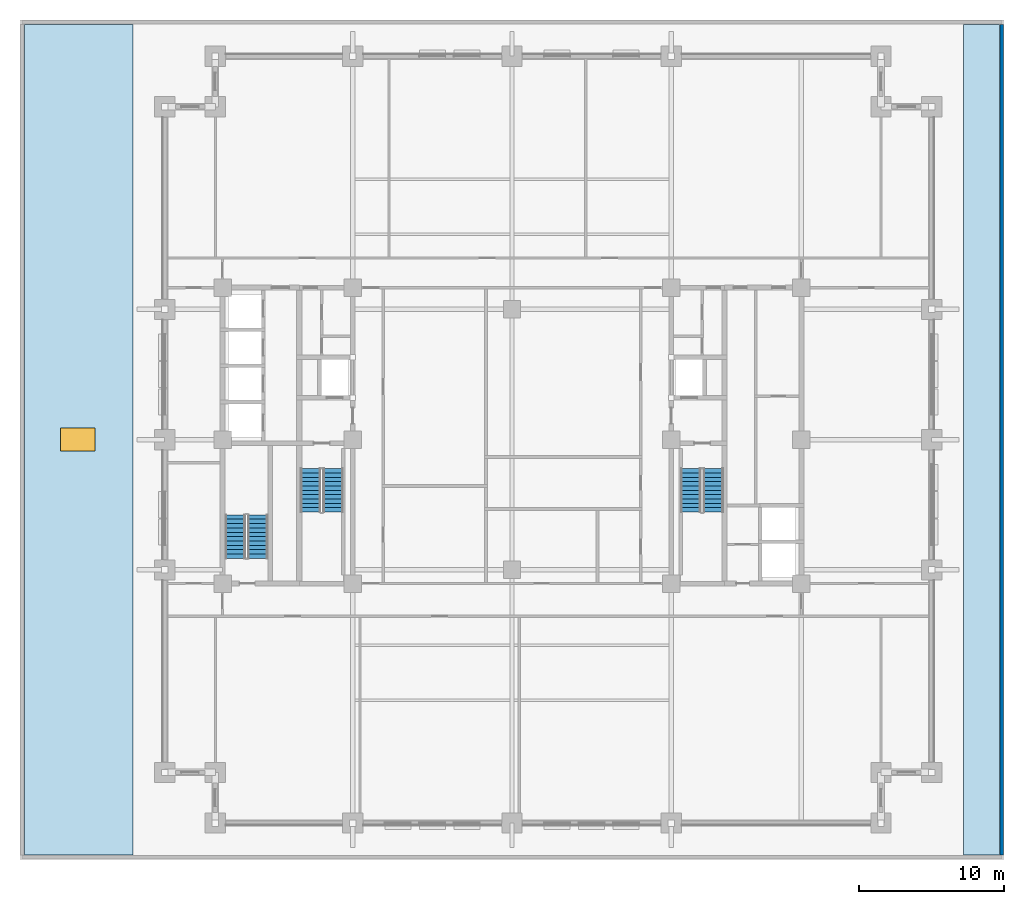
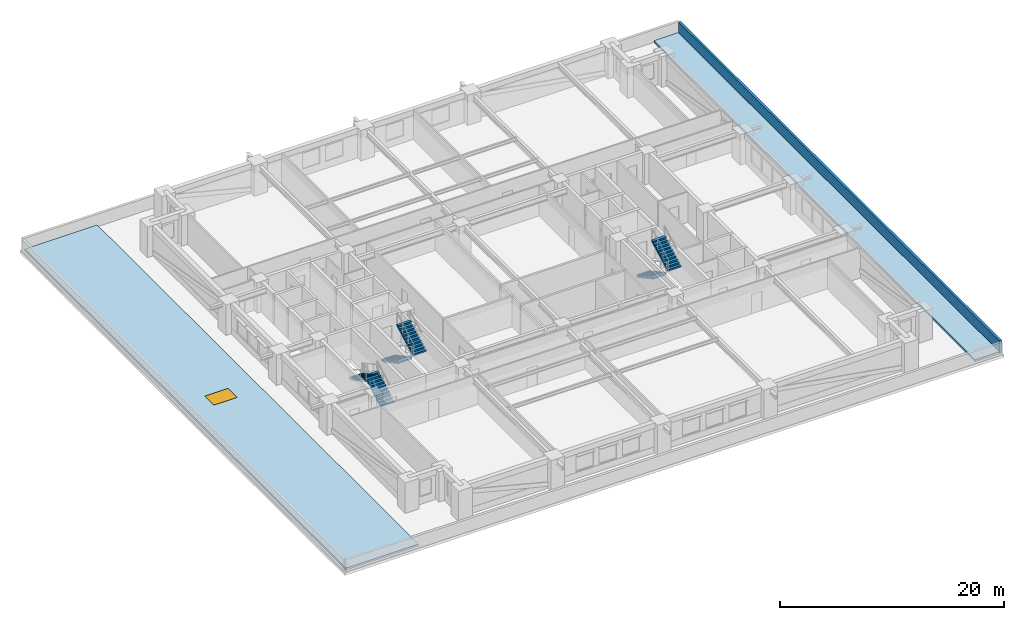
# One storey, part 8 of 12: 6 stair flights, 2 roofs, 1 wall, 1 window, 1 opening, 3 elements without a shape of their own.
"""IFC4 building model written with IfcOpenShell, lengths in metres."""

import ifcopenshell
import ifcopenshell.guid

model = None  # the IFC model being written
_history = None  # IfcOwnerHistory: only IFC2X3 demands one
_inside = {}  # id of a spatial element -> (the spatial element, [elements in it])
_under = {}  # id of a project, library or spatial element -> (it, [spatial elements below it])
_declared = {}  # id of a project -> (the project, [libraries it declares])
_typed = {}  # id of a type object -> (the type object, [elements of that type])
_made_of = {}  # id of a material, layer set ... -> (it, [elements and type objects made of it])


def new_model(schema):
    """Start an empty IFC model of exactly this schema.

    Asked for "IFC4X3", IfcOpenShell would pick the latest addendum, in which some entities
    have other attributes; the version numbers below select the first issue.
    IFC2X3 requires an IfcOwnerHistory on every rooted entity: one is made here for all.
    """
    global model, _history
    if schema == "IFC4X3":
        model = ifcopenshell.file(schema_version=(4, 3, 0, 0))
    else:
        model = ifcopenshell.file(schema=schema)
    _inside.clear()
    _under.clear()
    _declared.clear()
    _typed.clear()
    _made_of.clear()
    _history = None
    if model.schema == "IFC2X3":
        org = make("IfcOrganization", Name="unknown")
        user = make(
            "IfcPersonAndOrganization",
            ThePerson=make("IfcPerson", FamilyName="unknown"),
            TheOrganization=org,
        )
        app = make(
            "IfcApplication",
            ApplicationDeveloper=org,
            Version="unknown",
            ApplicationFullName="unknown",
            ApplicationIdentifier="unknown",
        )
        _history = make(
            "IfcOwnerHistory",
            OwningUser=user,
            OwningApplication=app,
            ChangeAction="ADDED",
            CreationDate=0,
        )
    return model


def make(cls, **values):
    """One entity of the class cls with the attributes given. An attribute that is None is left unset."""
    return model.create_entity(
        cls, **{name: value for name, value in values.items() if value is not None}
    )


def rooted(cls, **values):
    """An entity with a GlobalId (a new one), such as an element, a storey or a relation."""
    return make(cls, GlobalId=ifcopenshell.guid.new(), OwnerHistory=_history, **values)


def si_unit(unit_type, name, prefix=None):
    """IfcSIUnit, for example si_unit("LENGTHUNIT", "METRE", prefix="MILLI")."""
    return make("IfcSIUnit", UnitType=unit_type, Prefix=prefix, Name=name)


def assignment(units):
    """IfcUnitAssignment: the units of a project."""
    return None if units is None else make("IfcUnitAssignment", Units=units)


def point(xyz):
    """IfcCartesianPoint."""
    return None if xyz is None else make("IfcCartesianPoint", Coordinates=xyz)


def direction(xyz):
    """IfcDirection."""
    return None if xyz is None else make("IfcDirection", DirectionRatios=xyz)


def frame(location, z_axis=None, x_axis=None):
    """IfcAxis2Placement3D, a coordinate frame: its origin and axes. An axis left out is left unset."""
    return make(
        "IfcAxis2Placement3D",
        Location=point(location),
        Axis=direction(z_axis),
        RefDirection=direction(x_axis),
    )


def frame_2d(location, x_axis=None):
    """IfcAxis2Placement2D, a coordinate frame in the plane: its origin and x axis."""
    return make(
        "IfcAxis2Placement2D", Location=point(location), RefDirection=direction(x_axis)
    )


def origin():
    """The frame at (0, 0, 0) with its axes left unset."""
    return frame((0.0, 0.0, 0.0))


def origin_2d():
    """The frame at (0, 0) in the plane with its x axis left unset."""
    return frame_2d((0.0, 0.0))


def place(relative_to, where):
    """IfcLocalPlacement: puts the frame where relative to a parent placement (None: the world)."""
    return make(
        "IfcLocalPlacement", PlacementRelTo=relative_to, RelativePlacement=where
    )


def context(
    kind, dimensions, precision=None, world=None, true_north=None, identifier=None
):
    """IfcGeometricRepresentationContext, for example the 3D "Model" context."""
    return make(
        "IfcGeometricRepresentationContext",
        ContextIdentifier=identifier,
        ContextType=kind,
        CoordinateSpaceDimension=dimensions,
        Precision=precision,
        WorldCoordinateSystem=world,
        TrueNorth=true_north,
    )


def subcontext(parent, identifier, kind, view, scale=None):
    """IfcGeometricRepresentationSubContext, for example "Body" below "Model"."""
    return make(
        "IfcGeometricRepresentationSubContext",
        ContextIdentifier=identifier,
        ContextType=kind,
        ParentContext=parent,
        TargetScale=scale,
        TargetView=view,
    )


def project(units=None, contexts=None):
    """IfcProject with its units and contexts."""
    return rooted(
        "IfcProject",
        Name="project",
        RepresentationContexts=contexts,
        UnitsInContext=assignment(units),
    )


def spatial(cls, under=None, at=None, **own):
    """A site, building, storey or space (cls), placed at a placement, below another one or the project."""
    s = rooted(cls, ObjectPlacement=at, **own)
    if under is not None:
        _under.setdefault(under.id(), (under, []))[1].append(s)
    return s


def polyline(points):
    """IfcPolyline through the points."""
    return make("IfcPolyline", Points=[point(p) for p in points])


def profile(cls, at=None, kind="AREA", **sizes):
    """A parametric profile (cls). Its sizes go by their IFC names, for example OverallWidth=200.0."""
    return make(cls, ProfileType=kind, Position=at, **sizes)


def rectangle(**sizes):
    """IfcRectangleProfileDef."""
    return profile("IfcRectangleProfileDef", **sizes)


def outline(outer, holes=None, kind="AREA"):
    """IfcArbitraryClosedProfileDef: a profile drawn as a closed curve; with holes, ...WithVoids."""
    if holes is None:
        return make("IfcArbitraryClosedProfileDef", ProfileType=kind, OuterCurve=outer)
    return make(
        "IfcArbitraryProfileDefWithVoids",
        ProfileType=kind,
        OuterCurve=outer,
        InnerCurves=holes,
    )


def extrude(swept, where, along, depth):
    """IfcExtrudedAreaSolid: the profile swept, set in the frame where, extruded along a direction by depth."""
    return make(
        "IfcExtrudedAreaSolid",
        SweptArea=swept,
        Position=where,
        ExtrudedDirection=direction(along),
        Depth=depth,
    )


def shape(context_of_items, identifier, shape_type, items):
    """IfcShapeRepresentation: the items that make up one representation, for example the "Body"."""
    return make(
        "IfcShapeRepresentation",
        ContextOfItems=context_of_items,
        RepresentationIdentifier=identifier,
        RepresentationType=shape_type,
        Items=items,
    )


def material(Name=None, Category=None):
    """IfcMaterial."""
    return make("IfcMaterial", Name=Name, Category=Category)


def layer(
    of_material, thickness, ventilated=None, Name=None, Category=None, Priority=None
):
    """IfcMaterialLayer: one layer of a wall or slab, of a material (None: an air gap)."""
    return make(
        "IfcMaterialLayer",
        Material=of_material,
        LayerThickness=thickness,
        IsVentilated=ventilated,
        Name=Name,
        Category=Category,
        Priority=Priority,
    )


def layer_set(layers, Name=None):
    """IfcMaterialLayerSet."""
    return make("IfcMaterialLayerSet", MaterialLayers=layers, LayerSetName=Name)


def made_of(thing, what):
    """Note that an element or type object is made of a material, layer set ...; save() writes the relation."""
    if what is not None:
        _made_of.setdefault(what.id(), (what, []))[1].append(thing)
    return thing


def type_object(cls, material=None, **own):
    """A type object (cls), such as IfcWallType, which elements share."""
    return made_of(rooted(cls, **own), material)


def element(
    cls,
    number,
    at=None,
    inside=None,
    cuts=None,
    type_object=None,
    material=None,
    context=None,
    identifier="Body",
    shape_type=None,
    held_by="IfcProductDefinitionShape",
    body=None,
    shapes=None,
    **own,
):
    """One element of the class cls, such as IfcWall. Its Tag is "e" and its number.

    at: its placement. inside: the storey or other place that contains it. cuts: it is an
    opening in that element (IfcRelVoidsElement). A single representation is given by context,
    identifier, shape_type and body (its items); several are given by shapes. held_by: the class
    of the entity that holds the representations. save() writes the other relations.
    """
    e = rooted(cls, Tag="e%d" % number, ObjectPlacement=at, **own)
    if body is not None:
        shapes = [shape(context, identifier, shape_type, body)]
    if shapes is not None:
        e.Representation = make(held_by, Representations=shapes)
    if inside is not None:
        _inside.setdefault(inside.id(), (inside, []))[1].append(e)
    if cuts is not None:
        rooted(
            "IfcRelVoidsElement", RelatingBuildingElement=cuts, RelatedOpeningElement=e
        )
    if type_object is not None:
        _typed.setdefault(type_object.id(), (type_object, []))[1].append(e)
    return made_of(e, material)


def fill(opening, filler):
    """IfcRelFillsElement: the door or window that sits in an opening."""
    return rooted(
        "IfcRelFillsElement",
        RelatingOpeningElement=opening,
        RelatedBuildingElement=filler,
    )


def aggregate(whole, parts):
    """IfcRelAggregates: a whole, such as a stair, and the parts it consists of."""
    return rooted("IfcRelAggregates", RelatingObject=whole, RelatedObjects=parts)


def save(model, path):
    """Write the relations noted so far, then the file.

    IfcRelAggregates (storeys below a building ...), IfcRelContainedInSpatialStructure (elements
    in a storey), IfcRelDefinesByType, IfcRelAssociatesMaterial and IfcRelDeclares: one each for
    every whole, place, type object, material and project.
    """
    for whole, parts in _under.values():
        aggregate(whole, parts)
    for where, things in _inside.values():
        rooted(
            "IfcRelContainedInSpatialStructure",
            RelatedElements=things,
            RelatingStructure=where,
        )
    for kind, things in _typed.values():
        rooted("IfcRelDefinesByType", RelatedObjects=things, RelatingType=kind)
    for what, things in _made_of.values():
        rooted("IfcRelAssociatesMaterial", RelatedObjects=things, RelatingMaterial=what)
    for by, libraries in _declared.values():
        rooted("IfcRelDeclares", RelatingContext=by, RelatedDefinitions=libraries)
    model.write(path)


model = new_model("IFC4")

# Units and contexts
model_context = context("Model", 3, precision=1e-05, world=origin(), true_north=direction((0.0, 1.0)))
body_context = subcontext(model_context, "Body", "Model", "MODEL_VIEW")
ifc_project = project(units=[si_unit("LENGTHUNIT", "METRE"), si_unit("AREAUNIT", "SQUARE_METRE"), si_unit("VOLUMEUNIT", "CUBIC_METRE"), si_unit("PLANEANGLEUNIT", "RADIAN"), si_unit("MASSUNIT", "GRAM", prefix="KILO")], contexts=[model_context])

# Site, building, storey
site_placement = place(None, origin())
site = spatial("IfcSite", under=ifc_project, at=site_placement, CompositionType="ELEMENT")
building_placement = place(site_placement, origin())
building = spatial("IfcBuilding", under=site, at=building_placement, Name="Zulmaris Gate Convention Tower", CompositionType="ELEMENT")
storey_placement = place(building_placement, frame((0.0, 0.0, 27.199951171875)))
storey = spatial("IfcBuildingStorey", under=building, at=storey_placement, Name="L05", CompositionType="ELEMENT", Elevation=27.199951171875)

# Wall
ifc_material_1 = material(Name="Precast concrete C40/50", Category="concrete")
ifc_layer_1 = layer(ifc_material_1, 0.25, Name="Precast concrete C40/50")
ifc_layer_set_1 = layer_set([ifc_layer_1], Name="Precast concrete C40/50")
wall_type = type_object("IfcWallType", Name="PRECAST-PARAPET-250", PredefinedType="PARAPET", material=ifc_layer_set_1)
wall_placement = place(storey_placement, frame((33.85009765625, -28.699951171875, 0.0), z_axis=(0.0, 0.0, 1.0), x_axis=(0.0, 1.0, 0.0)))
element("IfcWall", 1, at=wall_placement, inside=storey, type_object=wall_type, Name="PRP-L05-POD-E", PredefinedType="PARAPET", context=body_context, shape_type="SweptSolid", body=[
    extrude(rectangle(XDim=57.39990234375, YDim=0.25, at=frame_2d((28.699951171875, 0.0))), origin(), (0.0, 0.0, 1.0), 1.3701171875),
])

# Stair, stair flights
ifc_material_2 = material(Name="Concrete C45/55", Category="concrete")
stair_type = type_object("IfcStairType", Name="ST-CORE-DOGLEG", PredefinedType="HALF_TURN_STAIR", material=ifc_material_2)
stair_1_placement = place(storey_placement, origin())
stair_1 = element("IfcStair", 2, at=stair_1_placement, inside=storey, type_object=stair_type, Name="L05 Core Exit Stair ST-1", PredefinedType="HALF_TURN_STAIR")
ifc_layer_2 = layer(ifc_material_2, 0.14990234375, Name="Concrete C45/55")
ifc_layer_set_2 = layer_set([ifc_layer_2], Name="Concrete C45/55")
stair_flight_type = type_object("IfcStairFlightType", Name="STF-RC150", PredefinedType="STRAIGHT", material=ifc_layer_set_2)
stair_flight_1_placement = place(storey_placement, frame((-13.919921875, -2.0, 0.0), z_axis=(0.0, 0.0, 1.0), x_axis=(0.0, -1.0, 0.0)))
stair_flight_1 = element("IfcStairFlight", 3, at=stair_flight_1_placement, type_object=stair_flight_type, Name="ST-1 flight 1", NumberOfRisers=11, NumberOfTreads=10, PredefinedType="STRAIGHT", RiserHeight=0.162272727, TreadLength=0.3, context=body_context, shape_type="SweptSolid", body=[
    extrude(outline(polyline([(0.0, 0.0), (0.0, 0.162353515625), (0.300048828125, 0.162353515625), (0.300048828125, 0.324462890625), (0.60009765625, 0.324462890625), (0.60009765625, 0.48681640625), (0.89990234375, 0.48681640625), (0.89990234375, 0.649169921875), (1.199951171875, 0.649169921875), (1.199951171875, 0.811279296875), (1.5, 0.811279296875), (1.5, 0.9736328125), (1.800048828125, 0.9736328125), (1.800048828125, 1.135986328125), (2.10009765625, 1.135986328125), (2.10009765625, 1.298095703125), (2.39990234375, 1.298095703125), (2.39990234375, 1.46044921875), (2.699951171875, 1.46044921875), (2.699951171875, 1.622802734375), (3.0, 1.622802734375), (3.0, 1.784912109375), (3.0, 1.452392578125), (0.315185546875, 0.0), (0.0, 0.0)])), frame((0.0, 0.699951171875, 0.0), z_axis=(0.0, -1.0, 0.0), x_axis=(1.0, 0.0, 0.0)), (0.0, 0.0, 1.0), 1.39990234375),
])
stair_flight_2_placement = place(storey_placement, frame((-12.360107421875, -5.0, 1.78515625), z_axis=(0.0, 0.0, 1.0), x_axis=(0.0, 1.0, 0.0)))
stair_flight_2 = element("IfcStairFlight", 4, at=stair_flight_2_placement, type_object=stair_flight_type, Name="ST-1 flight 2", NumberOfRisers=11, NumberOfTreads=10, PredefinedType="STRAIGHT", RiserHeight=0.162272727, TreadLength=0.3, context=body_context, shape_type="SweptSolid", body=[
    extrude(outline(polyline([(0.0, 0.0), (0.0, 0.162353515625), (0.300048828125, 0.162353515625), (0.300048828125, 0.324462890625), (0.60009765625, 0.324462890625), (0.60009765625, 0.48681640625), (0.89990234375, 0.48681640625), (0.89990234375, 0.649169921875), (1.199951171875, 0.649169921875), (1.199951171875, 0.811279296875), (1.5, 0.811279296875), (1.5, 0.9736328125), (1.800048828125, 0.9736328125), (1.800048828125, 1.135986328125), (2.10009765625, 1.135986328125), (2.10009765625, 1.298095703125), (2.39990234375, 1.298095703125), (2.39990234375, 1.46044921875), (2.699951171875, 1.46044921875), (2.699951171875, 1.622802734375), (3.0, 1.622802734375), (3.0, 1.784912109375), (3.0, 1.452392578125), (0.315185546875, 0.0), (0.0, 0.0)])), frame((0.0, 0.699951171875, 0.0), z_axis=(0.0, -1.0, 0.0), x_axis=(1.0, 0.0, 0.0)), (0.0, 0.0, 1.0), 1.39990234375),
])
aggregate(stair_1, [stair_flight_1, stair_flight_2])

stair_2_placement = place(storey_placement, origin())
stair_2 = element("IfcStair", 5, at=stair_2_placement, inside=storey, type_object=stair_type, Name="L05 Core Exit Stair ST-2", PredefinedType="HALF_TURN_STAIR")
stair_flight_3_placement = place(storey_placement, frame((12.360107421875, -2.0, 0.0), z_axis=(0.0, 0.0, 1.0), x_axis=(0.0, -1.0, 0.0)))
stair_flight_3 = element("IfcStairFlight", 6, at=stair_flight_3_placement, type_object=stair_flight_type, Name="ST-2 flight 1", NumberOfRisers=11, NumberOfTreads=10, PredefinedType="STRAIGHT", RiserHeight=0.162272727, TreadLength=0.3, context=body_context, shape_type="SweptSolid", body=[
    extrude(outline(polyline([(0.0, 0.0), (0.0, 0.162353515625), (0.300048828125, 0.162353515625), (0.300048828125, 0.324462890625), (0.60009765625, 0.324462890625), (0.60009765625, 0.48681640625), (0.89990234375, 0.48681640625), (0.89990234375, 0.649169921875), (1.199951171875, 0.649169921875), (1.199951171875, 0.811279296875), (1.5, 0.811279296875), (1.5, 0.9736328125), (1.800048828125, 0.9736328125), (1.800048828125, 1.135986328125), (2.10009765625, 1.135986328125), (2.10009765625, 1.298095703125), (2.39990234375, 1.298095703125), (2.39990234375, 1.46044921875), (2.699951171875, 1.46044921875), (2.699951171875, 1.622802734375), (3.0, 1.622802734375), (3.0, 1.784912109375), (3.0, 1.452392578125), (0.315185546875, 0.0), (0.0, 0.0)])), frame((0.0, 0.699951171875, 0.0), z_axis=(0.0, -1.0, 0.0), x_axis=(1.0, 0.0, 0.0)), (0.0, 0.0, 1.0), 1.39990234375),
])
stair_flight_4_placement = place(storey_placement, frame((13.919921875, -5.0, 1.78515625), z_axis=(0.0, 0.0, 1.0), x_axis=(0.0, 1.0, 0.0)))
stair_flight_4 = element("IfcStairFlight", 7, at=stair_flight_4_placement, type_object=stair_flight_type, Name="ST-2 flight 2", NumberOfRisers=11, NumberOfTreads=10, PredefinedType="STRAIGHT", RiserHeight=0.162272727, TreadLength=0.3, context=body_context, shape_type="SweptSolid", body=[
    extrude(outline(polyline([(0.0, 0.0), (0.0, 0.162353515625), (0.300048828125, 0.162353515625), (0.300048828125, 0.324462890625), (0.60009765625, 0.324462890625), (0.60009765625, 0.48681640625), (0.89990234375, 0.48681640625), (0.89990234375, 0.649169921875), (1.199951171875, 0.649169921875), (1.199951171875, 0.811279296875), (1.5, 0.811279296875), (1.5, 0.9736328125), (1.800048828125, 0.9736328125), (1.800048828125, 1.135986328125), (2.10009765625, 1.135986328125), (2.10009765625, 1.298095703125), (2.39990234375, 1.298095703125), (2.39990234375, 1.46044921875), (2.699951171875, 1.46044921875), (2.699951171875, 1.622802734375), (3.0, 1.622802734375), (3.0, 1.784912109375), (3.0, 1.452392578125), (0.315185546875, 0.0), (0.0, 0.0)])), frame((0.0, 0.699951171875, 0.0), z_axis=(0.0, -1.0, 0.0), x_axis=(1.0, 0.0, 0.0)), (0.0, 0.0, 1.0), 1.39990234375),
])
aggregate(stair_2, [stair_flight_3, stair_flight_4])

stair_3_placement = place(storey_placement, origin())
stair_3 = element("IfcStair", 8, at=stair_3_placement, inside=storey, type_object=stair_type, Name="L05 Core Exit Stair ST-3", PredefinedType="HALF_TURN_STAIR")
stair_flight_5_placement = place(storey_placement, frame((-17.56005859375, -8.199951171875, 0.0), z_axis=(0.0, 0.0, 1.0), x_axis=(0.0, 1.0, 0.0)))
stair_flight_5 = element("IfcStairFlight", 9, at=stair_flight_5_placement, type_object=stair_flight_type, Name="ST-3 flight 1", NumberOfRisers=11, NumberOfTreads=10, PredefinedType="STRAIGHT", RiserHeight=0.162272727, TreadLength=0.3, context=body_context, shape_type="SweptSolid", body=[
    extrude(outline(polyline([(0.0, 0.0), (0.0, 0.162353515625), (0.300048828125, 0.162353515625), (0.300048828125, 0.324462890625), (0.60009765625, 0.324462890625), (0.60009765625, 0.48681640625), (0.89990234375, 0.48681640625), (0.89990234375, 0.649169921875), (1.199951171875, 0.649169921875), (1.199951171875, 0.811279296875), (1.5, 0.811279296875), (1.5, 0.9736328125), (1.800048828125, 0.9736328125), (1.800048828125, 1.135986328125), (2.10009765625, 1.135986328125), (2.10009765625, 1.298095703125), (2.39990234375, 1.298095703125), (2.39990234375, 1.46044921875), (2.699951171875, 1.46044921875), (2.699951171875, 1.622802734375), (3.0, 1.622802734375), (3.0, 1.784912109375), (3.0, 1.452392578125), (0.315185546875, 0.0), (0.0, 0.0)])), frame((0.0, 0.699951171875, 0.0), z_axis=(0.0, -1.0, 0.0), x_axis=(1.0, 0.0, 0.0)), (0.0, 0.0, 1.0), 1.39990234375),
])
stair_flight_6_placement = place(storey_placement, frame((-19.1201171875, -5.199951171875, 1.78515625), z_axis=(0.0, 0.0, 1.0), x_axis=(0.0, -1.0, 0.0)))
stair_flight_6 = element("IfcStairFlight", 10, at=stair_flight_6_placement, type_object=stair_flight_type, Name="ST-3 flight 2", NumberOfRisers=11, NumberOfTreads=10, PredefinedType="STRAIGHT", RiserHeight=0.162272727, TreadLength=0.3, context=body_context, shape_type="SweptSolid", body=[
    extrude(outline(polyline([(0.0, 0.0), (0.0, 0.162353515625), (0.300048828125, 0.162353515625), (0.300048828125, 0.324462890625), (0.60009765625, 0.324462890625), (0.60009765625, 0.48681640625), (0.89990234375, 0.48681640625), (0.89990234375, 0.649169921875), (1.199951171875, 0.649169921875), (1.199951171875, 0.811279296875), (1.5, 0.811279296875), (1.5, 0.9736328125), (1.800048828125, 0.9736328125), (1.800048828125, 1.135986328125), (2.10009765625, 1.135986328125), (2.10009765625, 1.298095703125), (2.39990234375, 1.298095703125), (2.39990234375, 1.46044921875), (2.699951171875, 1.46044921875), (2.699951171875, 1.622802734375), (3.0, 1.622802734375), (3.0, 1.784912109375), (3.0, 1.452392578125), (0.315185546875, 0.0), (0.0, 0.0)])), frame((0.0, 0.699951171875, 0.0), z_axis=(0.0, -1.0, 0.0), x_axis=(1.0, 0.0, 0.0)), (0.0, 0.0, 1.0), 1.39990234375),
])
aggregate(stair_3, [stair_flight_5, stair_flight_6])

# Roof, opening, window
ifc_material_3 = material(Name="Concrete C40/50", Category="concrete")
ifc_layer_3 = layer(ifc_material_3, 0.219970703125, Name="Concrete C40/50")
ifc_layer_set_3 = layer_set([ifc_layer_3], Name="Concrete C40/50")
slab_type = type_object("IfcSlabType", Name="RF-MEMBRANE-220", PredefinedType="ROOF", material=ifc_layer_set_3)
roof_1_placement = place(storey_placement, origin())
roof_1 = element("IfcRoof", 11, at=roof_1_placement, inside=storey, type_object=slab_type, Name="RF-L05-POD-W", PredefinedType="FLAT_ROOF", context=body_context, shape_type="SweptSolid", body=[
    extrude(outline(polyline([(-33.699951171875, -28.699951171875), (-26.199951171875, -28.699951171875), (-26.199951171875, 28.699951171875), (-33.699951171875, 28.699951171875), (-33.699951171875, -28.699951171875)])), origin(), (0.0, 0.0, 1.0), 0.219970703125),
])
opening_placement = place(roof_1_placement, frame((-30.0, 0.0, 0.0)))
opening = element("IfcOpeningElement", 12, at=opening_placement, cuts=roof_1, Name="Opening W-07", PredefinedType="OPENING", context=body_context, shape_type="SweptSolid", body=[
    extrude(rectangle(XDim=2.39990234375, YDim=1.60009765625, at=origin_2d()), frame((0.0, 0.0, -0.010009765625)), (0.0, 0.0, 1.0), 0.239990234375),
])
ifc_material_4 = material(Name="Low-E Laminated Double Glazing in Aluminium Frame", Category="aluminium")
window_type = type_object("IfcWindowType", Name="WIN-SKY-2400", PartitioningType="SINGLE_PANEL", PredefinedType="SKYLIGHT", material=ifc_material_4)
window_placement = place(opening_placement, frame((0.0, 0.0, 0.169921875)))
window = element("IfcWindow", 13, at=window_placement, inside=storey, type_object=window_type, Name="Podium Concourse Skylight", OverallHeight=1.60009765625, OverallWidth=2.39990234375, PartitioningType="SINGLE_PANEL", PredefinedType="SKYLIGHT", context=body_context, shape_type="SweptSolid", body=[
    extrude(rectangle(XDim=2.39990234375, YDim=1.60009765625, at=origin_2d()), origin(), (0.0, 0.0, 1.0), 0.050048828125),
])
fill(opening, window)

# Roof
roof_2_placement = place(storey_placement, origin())
element("IfcRoof", 14, at=roof_2_placement, inside=storey, type_object=slab_type, Name="RF-L05-POD-E", PredefinedType="FLAT_ROOF", context=body_context, shape_type="SweptSolid", body=[
    extrude(outline(polyline([(31.199951171875, -28.699951171875), (33.699951171875, -28.699951171875), (33.699951171875, 28.699951171875), (31.199951171875, 28.699951171875), (31.199951171875, -28.699951171875)])), origin(), (0.0, 0.0, 1.0), 0.219970703125),
])

save(model, "model.ifc")
